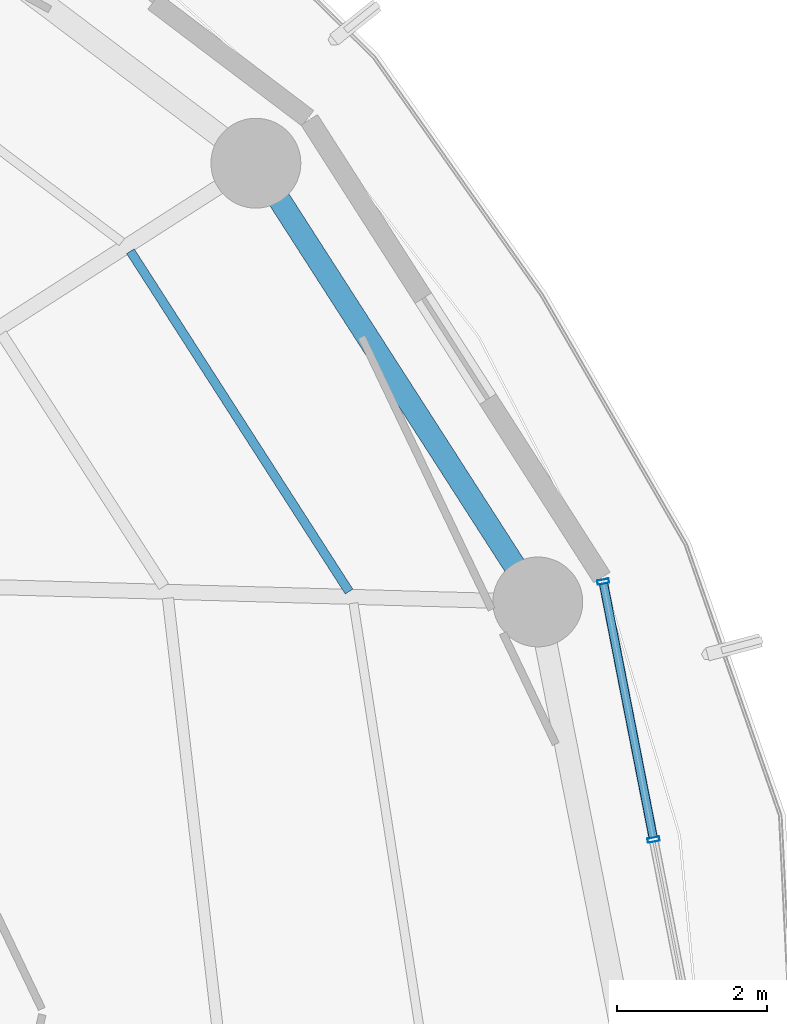
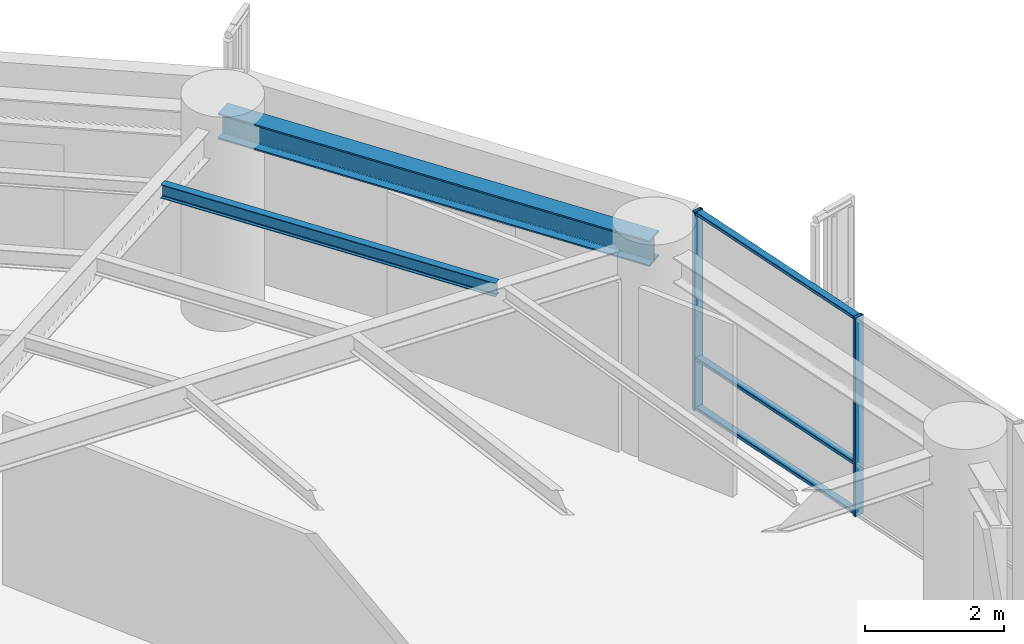
# One storey, part 15 of 27: 5 members, 2 beams, 1 element without a shape of its own.
"""IFC4 building model written with IfcOpenShell, lengths in metres."""

from ifc_helpers import new_model, si_unit, direction, frame, origin, origin_2d, place, context, subcontext, project, spatial, hollow_rectangle, i_section, extrude, material, layer, layer_set, material_profile, profile_set, type_object, element, aggregate, save


model = new_model("IFC4")

# Units and contexts
model_context = context("Model", 3, precision=1e-05, world=origin(), true_north=direction((0.0, 1.0)))
body_context = subcontext(model_context, "Body", "Model", "MODEL_VIEW")
ifc_project = project(units=[si_unit("LENGTHUNIT", "METRE"), si_unit("AREAUNIT", "SQUARE_METRE"), si_unit("VOLUMEUNIT", "CUBIC_METRE"), si_unit("PLANEANGLEUNIT", "RADIAN"), si_unit("MASSUNIT", "GRAM", prefix="KILO")], contexts=[model_context])

# Site, building, storey
site_placement = place(None, origin())
site = spatial("IfcSite", under=ifc_project, at=site_placement, CompositionType="ELEMENT")
building_placement = place(site_placement, origin())
building = spatial("IfcBuilding", under=site, at=building_placement, Name="Kelanora Arch Commons", CompositionType="ELEMENT")
storey_placement = place(building_placement, frame((0.0, 0.0, 143.10009765625)))
storey = spatial("IfcBuildingStorey", under=building, at=storey_placement, Name="L36", CompositionType="ELEMENT", Elevation=143.10009765625)

# Beams
ifc_material_1 = material(Name="Steel S355", Category="steel")
ifc_material_profile_1 = material_profile(ifc_material_1, i_section(OverallWidth=0.1201171875, OverallDepth=0.239990234375, WebThickness=0.006103515625, FlangeThickness=0.009765625, FilletRadius=0.014892578125, at=origin_2d()), Name="IPE240")
ifc_profile_set_1 = profile_set([ifc_material_profile_1], Name="Steel S355")
beam_type_1 = type_object("IfcBeamType", Name="BM-JST-02", PredefinedType="JOIST", material=ifc_profile_set_1)
beam_1_placement = place(storey_placement, frame((91.85205078125, 64.801513671875, 3.369873046875), z_axis=(-0.540581678156, 0.841291536414, 0.0), x_axis=(-0.841291536414, -0.540581678156, 0.0)))
element("IfcBeam", 1, at=beam_1_placement, inside=storey, type_object=beam_type_1, Name="Secondary Chord Joist BJC-02 L36", PredefinedType="JOIST", context=body_context, shape_type="SweptSolid", body=[
    extrude(i_section(OverallWidth=0.1201171875, OverallDepth=0.239990234375, WebThickness=0.006103515625, FlangeThickness=0.009765625, FilletRadius=0.014892578125, at=origin_2d()), origin(), (0.0, 0.0, 1.0), 5.4013671875),
])
ifc_material_profile_2 = material_profile(ifc_material_1, i_section(OverallWidth=0.300048828125, OverallDepth=0.449951171875, WebThickness=0.013916015625, FlangeThickness=0.02587890625, FilletRadius=0.027099609375, at=origin_2d()), Name="HEB450")
ifc_profile_set_2 = profile_set([ifc_material_profile_2], Name="Steel S355")
beam_type_2 = type_object("IfcBeamType", Name="BM-SPN-Z3", PredefinedType="SPANDREL", material=ifc_profile_set_2)
beam_2_placement = place(storey_placement, frame((94.37255859375, 64.66259765625, 3.264892578125), z_axis=(-0.540576852469, 0.841294637196, 0.0), x_axis=(-0.841294637196, -0.540576852469, 0.0)))
element("IfcBeam", 2, at=beam_2_placement, inside=storey, type_object=beam_type_2, Name="Perimeter Spandrel Beam BS-02 L36", PredefinedType="SPANDREL", context=body_context, shape_type="SweptSolid", body=[
    extrude(i_section(OverallWidth=0.300048828125, OverallDepth=0.449951171875, WebThickness=0.013916015625, FlangeThickness=0.02587890625, FilletRadius=0.027099609375, at=origin_2d()), origin(), (0.0, 0.0, 1.0), 6.964111328125),
])

# Curtain wall, members
ifc_material_2 = material(Name="Terracotta ceramic-fritted low-E glass and aluminium", Category="masonry")
ifc_layer = layer(ifc_material_2, 0.175048828125)
ifc_layer_set = layer_set([ifc_layer], Name="Terracotta ceramic-fritted low-E glass and aluminium")
curtain_wall_type = type_object("IfcCurtainWallType", Name="CW-SYS-02", PredefinedType="NOTDEFINED", material=ifc_layer_set)
curtain_wall_placement = place(storey_placement, origin())
curtain_wall = element("IfcCurtainWall", 3, at=curtain_wall_placement, inside=storey, type_object=curtain_wall_type, Name="Unitised Curtain Wall L36-B00", PredefinedType="NOTDEFINED")
ifc_material_3 = material(Name="Powder-coated aluminium terracotta", Category="masonry")
ifc_material_profile_3 = material_profile(ifc_material_3, hollow_rectangle(XDim=0.159912109375, YDim=0.06005859375, WallThickness=0.0048828125, InnerFilletRadius=0.0048828125, OuterFilletRadius=0.010009765625, at=origin_2d()), Name="CWM160x60")
ifc_profile_set_3 = profile_set([ifc_material_profile_3], Name="Powder-coated aluminium terracotta")
member_type_1 = type_object("IfcMemberType", Name="CWM-STD", PredefinedType="MULLION", material=ifc_profile_set_3)
member_1_placement = place(storey_placement, frame((95.91845703125, 61.488525390625, 0.0), z_axis=(0.0, 0.0, 1.0), x_axis=(-0.981452557718, -0.191705182375, 0.0)))
member_1 = element("IfcMember", 4, at=member_1_placement, type_object=member_type_1, Name="CW-02 mullion 2", PredefinedType="MULLION", context=body_context, shape_type="SweptSolid", body=[
    extrude(hollow_rectangle(XDim=0.159912109375, YDim=0.06005859375, WallThickness=0.0048828125, InnerFilletRadius=0.0048828125, OuterFilletRadius=0.010009765625, at=origin_2d()), origin(), (0.0, 0.0, 1.0), 3.474853515625),
])
member_2_placement = place(storey_placement, frame((95.245849609375, 64.93310546875, 0.0), z_axis=(0.0, 0.0, 1.0), x_axis=(-0.981452557718, -0.191705182375, 0.0)))
member_2 = element("IfcMember", 5, at=member_2_placement, type_object=member_type_1, Name="CW-02 mullion 3", PredefinedType="MULLION", context=body_context, shape_type="SweptSolid", body=[
    extrude(hollow_rectangle(XDim=0.159912109375, YDim=0.06005859375, WallThickness=0.0048828125, InnerFilletRadius=0.0048828125, OuterFilletRadius=0.010009765625, at=origin_2d()), origin(), (0.0, 0.0, 1.0), 3.474853515625),
])
ifc_material_profile_4 = material_profile(ifc_material_3, hollow_rectangle(XDim=0.1201171875, YDim=0.06005859375, WallThickness=0.0048828125, InnerFilletRadius=0.0048828125, OuterFilletRadius=0.010009765625, at=origin_2d()), Name="CWT120x60")
ifc_profile_set_4 = profile_set([ifc_material_profile_4], Name="Powder-coated aluminium terracotta")
member_type_2 = type_object("IfcMemberType", Name="CWT-STD", PredefinedType="USERDEFINED", material=ifc_profile_set_4)
member_3_placement = place(storey_placement, frame((95.912841796875, 61.51806640625, 0.02978515625), z_axis=(-0.191731523726, 0.981447412147, 0.0), x_axis=(-0.981447412147, -0.191731523726, 0.0)))
member_3 = element("IfcMember", 6, at=member_3_placement, type_object=member_type_2, Name="CW-02 transom 2.1", ObjectType="TRANSOM", PredefinedType="USERDEFINED", context=body_context, shape_type="SweptSolid", body=[
    extrude(hollow_rectangle(XDim=0.1201171875, YDim=0.06005859375, WallThickness=0.0048828125, InnerFilletRadius=0.0048828125, OuterFilletRadius=0.010009765625, at=origin_2d()), origin(), (0.0, 0.0, 1.0), 3.449462890625),
])
member_4_placement = place(storey_placement, frame((95.912841796875, 61.51806640625, 0.89990234375), z_axis=(-0.191731523726, 0.981447412147, 0.0), x_axis=(-0.981447412147, -0.191731523726, 0.0)))
member_4 = element("IfcMember", 7, at=member_4_placement, type_object=member_type_2, Name="CW-02 transom 2.2", ObjectType="TRANSOM", PredefinedType="USERDEFINED", context=body_context, shape_type="SweptSolid", body=[
    extrude(hollow_rectangle(XDim=0.1201171875, YDim=0.06005859375, WallThickness=0.0048828125, InnerFilletRadius=0.0048828125, OuterFilletRadius=0.010009765625, at=origin_2d()), origin(), (0.0, 0.0, 1.0), 3.449462890625),
])
member_5_placement = place(storey_placement, frame((95.912841796875, 61.51806640625, 3.44482421875), z_axis=(-0.191731523726, 0.981447412147, 0.0), x_axis=(-0.981447412147, -0.191731523726, 0.0)))
member_5 = element("IfcMember", 8, at=member_5_placement, type_object=member_type_2, Name="CW-02 transom 2.3", ObjectType="TRANSOM", PredefinedType="USERDEFINED", context=body_context, shape_type="SweptSolid", body=[
    extrude(hollow_rectangle(XDim=0.1201171875, YDim=0.06005859375, WallThickness=0.0048828125, InnerFilletRadius=0.0048828125, OuterFilletRadius=0.010009765625, at=origin_2d()), origin(), (0.0, 0.0, 1.0), 3.449462890625),
])
aggregate(curtain_wall, [member_1, member_2, member_3, member_4, member_5])

save(model, "model.ifc")
